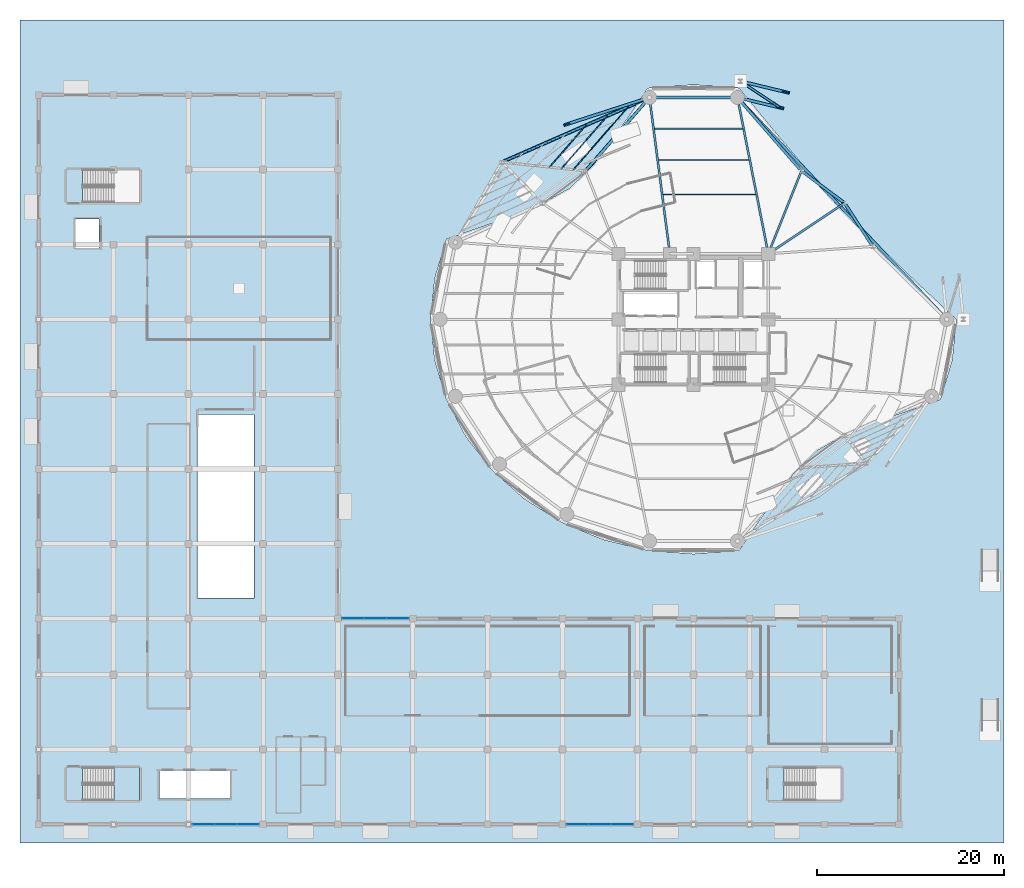
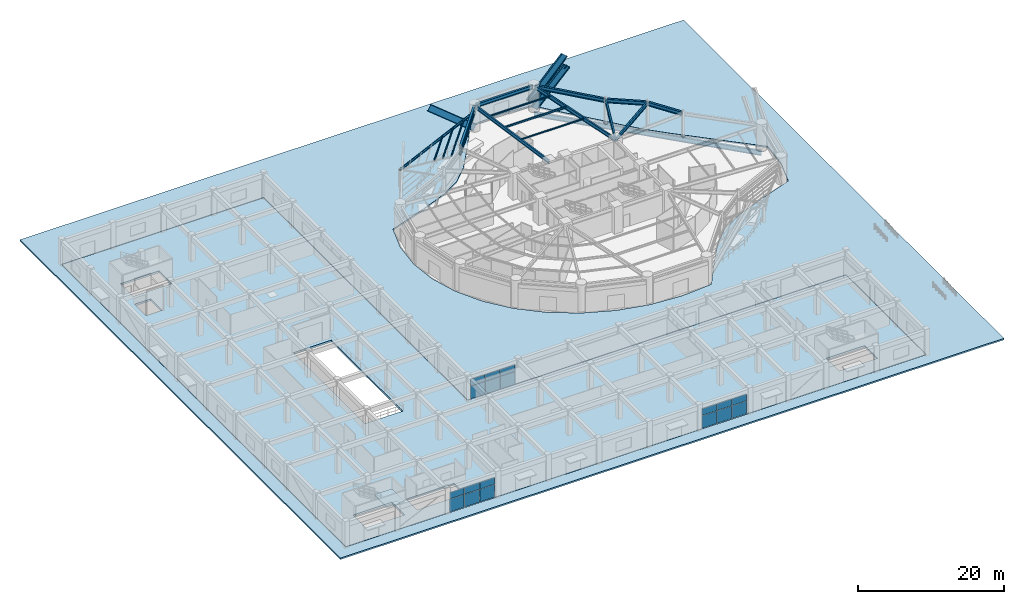
# One storey, part 24 of 40: 18 plates, 16 beams, 6 members, 3 slabs, 4 elements without a shape of their own.
"""IFC4 building model written with IfcOpenShell, lengths in metres."""

from ifc_helpers import new_model, si_unit, direction, frame, origin, origin_2d, place, context, subcontext, project, spatial, polyline, rectangle, hollow_rectangle, hollow_circle, i_section, outline, extrude, source, transform, mapped, material, layer, layer_set, material_profile, profile_set, type_object, element, aggregate, save


model = new_model("IFC4")

# Units and contexts
model_context = context("Model", 3, precision=1e-05, world=origin(), true_north=direction((0.0, 1.0)))
body_context = subcontext(model_context, "Body", "Model", "MODEL_VIEW")
ifc_project = project(units=[si_unit("LENGTHUNIT", "METRE"), si_unit("AREAUNIT", "SQUARE_METRE"), si_unit("VOLUMEUNIT", "CUBIC_METRE"), si_unit("PLANEANGLEUNIT", "RADIAN"), si_unit("MASSUNIT", "GRAM", prefix="KILO")], contexts=[model_context])

# Site, building, storey
site_placement = place(None, origin())
site = spatial("IfcSite", under=ifc_project, at=site_placement, CompositionType="ELEMENT")
building_placement = place(site_placement, origin())
building = spatial("IfcBuilding", under=site, at=building_placement, Name="Kelanora Arch Commons", CompositionType="ELEMENT")
storey_placement = place(building_placement, origin())
storey = spatial("IfcBuildingStorey", under=building, at=storey_placement, Name="L00", CompositionType="ELEMENT", Elevation=0.0)

# Beams
ifc_material_1 = material(Name="Steel S355", Category="steel")
ifc_material_profile_1 = material_profile(ifc_material_1, i_section(OverallWidth=0.302001953125, OverallDepth=1.008056640625, WebThickness=0.02099609375, FlangeThickness=0.0400390625, FilletRadius=0.030029296875, at=origin_2d()), Name="HEM1000")
ifc_profile_set_1 = profile_set([ifc_material_profile_1], Name="Steel S355")
beam_type_1 = type_object("IfcBeamType", Name="BM-ARCH-RIB", PredefinedType="USERDEFINED", material=ifc_profile_set_1)
beam_1_placement = place(storey_placement, frame((83.261962890625, 80.627685546875, 6.41259765625), z_axis=(-0.585876343042, 0.139598935882, -0.798286319415), x_axis=(-0.231784831135, -0.972767080064, 0.0)))
element("IfcBeam", 1, at=beam_1_placement, inside=storey, type_object=beam_type_1, Name="Parabolic Giant Arch Inner Rib 08", ObjectType="ARCH_RIB", PredefinedType="USERDEFINED", context=body_context, shape_type="SweptSolid", body=[
    extrude(i_section(OverallWidth=0.302001953125, OverallDepth=1.008056640625, WebThickness=0.02099609375, FlangeThickness=0.0400390625, FilletRadius=0.030029296875, at=origin_2d()), origin(), (0.0, 0.0, 1.0), 7.782470703125),
])
beam_2_placement = place(storey_placement, frame((83.8671875, 82.291015625, 7.02490234375), z_axis=(-0.574311539487, 0.137891346207, -0.806940042539), x_axis=(-0.233463524395, -0.972365560259, 0.0)))
element("IfcBeam", 2, at=beam_2_placement, inside=storey, type_object=beam_type_1, Name="Parabolic Giant Arch Outer Rib 08", ObjectType="ARCH_RIB", PredefinedType="USERDEFINED", context=body_context, shape_type="SweptSolid", body=[
    extrude(i_section(OverallWidth=0.302001953125, OverallDepth=1.008056640625, WebThickness=0.02099609375, FlangeThickness=0.0400390625, FilletRadius=0.030029296875, at=origin_2d()), origin(), (0.0, 0.0, 1.0), 8.457763671875),
])
beam_3_placement = place(storey_placement, frame((69.297607421875, 81.714111328125, 0.25), z_axis=(-0.715170889913, -0.231449127747, 0.659516413356), x_axis=(0.307904957748, -0.951417120402, 0.0)))
element("IfcBeam", 3, at=beam_3_placement, inside=storey, type_object=beam_type_1, Name="Courtyard Portal Arch Rib NW-1", ObjectType="ARCH_RIB", PredefinedType="USERDEFINED", context=body_context, shape_type="SweptSolid", body=[
    extrude(i_section(OverallWidth=0.302001953125, OverallDepth=1.008056640625, WebThickness=0.02099609375, FlangeThickness=0.0400390625, FilletRadius=0.030029296875, at=origin_2d()), origin(), (0.0, 0.0, 1.0), 12.357421875),
])
ifc_material_profile_2 = material_profile(ifc_material_1, i_section(OverallWidth=0.302978515625, OverallDepth=0.81396484375, WebThickness=0.02099609375, FlangeThickness=0.0400390625, FilletRadius=0.030029296875, at=origin_2d()), Name="HEM800")
ifc_profile_set_2 = profile_set([ifc_material_profile_2], Name="Steel S355")
beam_type_2 = type_object("IfcBeamType", Name="BM-ARCH-TIE", PredefinedType="USERDEFINED", material=ifc_profile_set_2)
beam_4_placement = place(storey_placement, frame((101.080078125, 58.0, -0.719970703125), z_axis=(-0.68631587693, 0.72730359347, 0.0), x_axis=(-0.72730359347, -0.68631587693, 0.0)))
element("IfcBeam", 4, at=beam_4_placement, inside=storey, type_object=beam_type_2, Name="Giant Arch Thrust Tie Girder", ObjectType="TRANSFER_GIRDER", PredefinedType="USERDEFINED", context=body_context, shape_type="SweptSolid", body=[
    extrude(i_section(OverallWidth=0.302978515625, OverallDepth=0.81396484375, WebThickness=0.02099609375, FlangeThickness=0.0400390625, FilletRadius=0.030029296875, at=origin_2d()), origin(), (0.0, 0.0, 1.0), 32.60546875),
])
ifc_material_profile_3 = material_profile(ifc_material_1, i_section(OverallWidth=0.14990234375, OverallDepth=0.300048828125, WebThickness=0.007080078125, FlangeThickness=0.0107421875, FilletRadius=0.014892578125, at=origin_2d()), Name="IPE300")
ifc_profile_set_3 = profile_set([ifc_material_profile_3], Name="Steel S355")
beam_type_3 = type_object("IfcBeamType", Name="BM-JST-01", PredefinedType="JOIST", material=ifc_profile_set_3)
beam_5_placement = place(storey_placement, frame((79.936279296875, 75.028564453125, 4.050048828125), z_axis=(-1.0, 0.0, 0.0), x_axis=(0.0, -1.0, 0.0)))
element("IfcBeam", 5, at=beam_5_placement, inside=storey, type_object=beam_type_3, Name="Secondary Chord Joist BJB-08 L00", PredefinedType="JOIST", context=body_context, shape_type="SweptSolid", body=[
    extrude(i_section(OverallWidth=0.14990234375, OverallDepth=0.300048828125, WebThickness=0.007080078125, FlangeThickness=0.0107421875, FilletRadius=0.014892578125, at=origin_2d()), origin(), (0.0, 0.0, 1.0), 9.6806640625),
])
ifc_material_profile_4 = material_profile(ifc_material_1, i_section(OverallWidth=0.1201171875, OverallDepth=0.239990234375, WebThickness=0.006103515625, FlangeThickness=0.009765625, FilletRadius=0.014892578125, at=origin_2d()), Name="IPE240")
ifc_profile_set_4 = profile_set([ifc_material_profile_4], Name="Steel S355")
beam_type_4 = type_object("IfcBeamType", Name="BM-JST-02", PredefinedType="JOIST", material=ifc_profile_set_4)
beam_6_placement = place(storey_placement, frame((80.661865234375, 71.351318359375, 4.080078125), z_axis=(-1.0, 0.0, 0.0), x_axis=(0.0, -1.0, 0.0)))
element("IfcBeam", 6, at=beam_6_placement, inside=storey, type_object=beam_type_4, Name="Secondary Chord Joist BJA-08 L00", PredefinedType="JOIST", context=body_context, shape_type="SweptSolid", body=[
    extrude(i_section(OverallWidth=0.1201171875, OverallDepth=0.239990234375, WebThickness=0.006103515625, FlangeThickness=0.009765625, FilletRadius=0.014892578125, at=origin_2d()), origin(), (0.0, 0.0, 1.0), 9.92626953125),
])
beam_7_placement = place(storey_placement, frame((79.27685546875, 78.371337890625, 4.080078125), z_axis=(-1.0, 0.0, 0.0), x_axis=(0.0, -1.0, 0.0)))
element("IfcBeam", 7, at=beam_7_placement, inside=storey, type_object=beam_type_4, Name="Secondary Chord Joist BJC-08 L00", PredefinedType="JOIST", context=body_context, shape_type="SweptSolid", body=[
    extrude(i_section(OverallWidth=0.1201171875, OverallDepth=0.239990234375, WebThickness=0.006103515625, FlangeThickness=0.009765625, FilletRadius=0.014892578125, at=origin_2d()), origin(), (0.0, 0.0, 1.0), 9.457763671875),
])
ifc_material_profile_5 = material_profile(ifc_material_1, i_section(OverallWidth=0.219970703125, OverallDepth=0.60009765625, WebThickness=0.011962890625, FlangeThickness=0.01904296875, FilletRadius=0.02392578125, at=origin_2d()), Name="IPE600")
ifc_profile_set_5 = profile_set([ifc_material_profile_5], Name="Steel S355")
beam_type_5 = type_object("IfcBeamType", Name="BM-RAD-Z1", PredefinedType="BEAM", material=ifc_profile_set_5)
beam_8_placement = place(storey_placement, frame((82.0, 65.0, 3.89990234375), z_axis=(0.832598158113, 0.553877519951, 0.0), x_axis=(-0.553877519951, 0.832598158113, 0.0)))
element("IfcBeam", 8, at=beam_8_placement, inside=storey, type_object=beam_type_5, Name="Radial Floor Girder BR-04 L00", PredefinedType="BEAM", context=body_context, shape_type="SweptSolid", body=[
    extrude(i_section(OverallWidth=0.219970703125, OverallDepth=0.60009765625, WebThickness=0.011962890625, FlangeThickness=0.01904296875, FilletRadius=0.02392578125, at=origin_2d()), origin(), (0.0, 0.0, 1.0), 9.79638671875),
])
beam_9_placement = place(storey_placement, frame((82.0, 65.0, 3.89990234375), z_axis=(0.371306921468, 0.928510188458, 0.0), x_axis=(-0.928510188458, 0.371306921468, 0.0)))
element("IfcBeam", 9, at=beam_9_placement, inside=storey, type_object=beam_type_5, Name="Radial Floor Girder BR-06 L00", PredefinedType="BEAM", context=body_context, shape_type="SweptSolid", body=[
    extrude(i_section(OverallWidth=0.219970703125, OverallDepth=0.60009765625, WebThickness=0.011962890625, FlangeThickness=0.01904296875, FilletRadius=0.02392578125, at=origin_2d()), origin(), (0.0, 0.0, 1.0), 9.549072265625),
])
beam_10_placement = place(storey_placement, frame((82.0, 65.0, 3.89990234375), z_axis=(-0.193555256292, 0.981089375522, 0.0), x_axis=(-0.981089375522, -0.193555256292, 0.0)))
element("IfcBeam", 10, at=beam_10_placement, inside=storey, type_object=beam_type_5, Name="Radial Floor Girder BR-08 L00", PredefinedType="BEAM", context=body_context, shape_type="SweptSolid", body=[
    extrude(i_section(OverallWidth=0.219970703125, OverallDepth=0.60009765625, WebThickness=0.011962890625, FlangeThickness=0.01904296875, FilletRadius=0.02392578125, at=origin_2d()), origin(), (0.0, 0.0, 1.0), 16.81640625),
])
beam_11_placement = place(storey_placement, frame((71.47998046875, 65.0, 3.89990234375), z_axis=(-0.129465914729, 0.991583872864, 0.0), x_axis=(-0.991583872864, -0.129465914729, 0.0)))
element("IfcBeam", 11, at=beam_11_placement, inside=storey, type_object=beam_type_5, Name="Radial Floor Girder BR-10 L00", PredefinedType="BEAM", context=body_context, shape_type="SweptSolid", body=[
    extrude(i_section(OverallWidth=0.219970703125, OverallDepth=0.60009765625, WebThickness=0.011962890625, FlangeThickness=0.01904296875, FilletRadius=0.02392578125, at=origin_2d()), origin(), (0.0, 0.0, 1.0), 16.635986328125),
])
ifc_material_profile_6 = material_profile(ifc_material_1, i_section(OverallWidth=0.300048828125, OverallDepth=0.60009765625, WebThickness=0.015380859375, FlangeThickness=0.030029296875, FilletRadius=0.027099609375, at=origin_2d()), Name="HEB600")
ifc_profile_set_6 = profile_set([ifc_material_profile_6], Name="Steel S355")
beam_type_6 = type_object("IfcBeamType", Name="BM-SPN-Z1", PredefinedType="SPANDREL", material=ifc_profile_set_6)
beam_12_placement = place(storey_placement, frame((93.046142578125, 65.975341796875, 3.89990234375), z_axis=(-0.544524325677, 0.838745049908, 0.0), x_axis=(-0.838745049908, -0.544524325677, 0.0)))
element("IfcBeam", 12, at=beam_12_placement, inside=storey, type_object=beam_type_6, Name="Perimeter Spandrel Beam BS-02 L00", PredefinedType="SPANDREL", context=body_context, shape_type="SweptSolid", body=[
    extrude(i_section(OverallWidth=0.300048828125, OverallDepth=0.60009765625, WebThickness=0.015380859375, FlangeThickness=0.030029296875, FilletRadius=0.027099609375, at=origin_2d()), origin(), (0.0, 0.0, 1.0), 5.086669921875),
])
beam_13_placement = place(storey_placement, frame((89.980224609375, 70.5576171875, 3.89990234375), z_axis=(-0.801486366257, 0.598013047269, 0.0), x_axis=(-0.598013047269, -0.801486366257, 0.0)))
element("IfcBeam", 13, at=beam_13_placement, inside=storey, type_object=beam_type_6, Name="Perimeter Spandrel Beam BS-04 L00", PredefinedType="SPANDREL", context=body_context, shape_type="SweptSolid", body=[
    extrude(i_section(OverallWidth=0.300048828125, OverallDepth=0.60009765625, WebThickness=0.015380859375, FlangeThickness=0.030029296875, FilletRadius=0.027099609375, at=origin_2d()), origin(), (0.0, 0.0, 1.0), 5.31298828125),
])
beam_14_placement = place(storey_placement, frame((85.40087890625, 74.0322265625, 3.89990234375), z_axis=(-0.657217586408, 0.753700898311, 0.0), x_axis=(-0.753700898311, -0.657217586408, 0.0)))
element("IfcBeam", 14, at=beam_14_placement, inside=storey, type_object=beam_type_6, Name="Perimeter Spandrel Beam BS-06 L00", PredefinedType="SPANDREL", context=body_context, shape_type="SweptSolid", body=[
    extrude(i_section(OverallWidth=0.300048828125, OverallDepth=0.60009765625, WebThickness=0.015380859375, FlangeThickness=0.030029296875, FilletRadius=0.027099609375, at=origin_2d()), origin(), (0.0, 0.0, 1.0), 9.97216796875),
])
beam_15_placement = place(storey_placement, frame((78.482421875, 81.714111328125, 3.89990234375), z_axis=(-1.0, 0.0, 0.0), x_axis=(0.0, -1.0, 0.0)))
element("IfcBeam", 15, at=beam_15_placement, inside=storey, type_object=beam_type_6, Name="Perimeter Spandrel Beam BS-08 L00", PredefinedType="SPANDREL", context=body_context, shape_type="SweptSolid", body=[
    extrude(i_section(OverallWidth=0.300048828125, OverallDepth=0.60009765625, WebThickness=0.015380859375, FlangeThickness=0.030029296875, FilletRadius=0.027099609375, at=origin_2d()), origin(), (0.0, 0.0, 1.0), 8.96484375),
])
beam_16_placement = place(storey_placement, frame((69.153076171875, 81.54833984375, 3.89990234375), z_axis=(-0.657217586408, -0.753700898311, 0.0), x_axis=(0.753700898311, -0.657217586408, 0.0)))
element("IfcBeam", 16, at=beam_16_placement, inside=storey, type_object=beam_type_6, Name="Perimeter Spandrel Beam BS-10 L00", PredefinedType="SPANDREL", context=body_context, shape_type="SweptSolid", body=[
    extrude(i_section(OverallWidth=0.300048828125, OverallDepth=0.60009765625, WebThickness=0.015380859375, FlangeThickness=0.030029296875, FilletRadius=0.027099609375, at=origin_2d()), origin(), (0.0, 0.0, 1.0), 9.97216796875),
])

# Members
ifc_material_profile_7 = material_profile(ifc_material_1, hollow_circle(Radius=0.136474609375, WallThickness=0.012451171875, at=origin_2d()), Name="CHS273x12.5")
ifc_profile_set_7 = profile_set([ifc_material_profile_7], Name="Steel S355")
member_type_1 = type_object("IfcMemberType", Name="MEM-MKT-BRACE", PredefinedType="BRACE", material=ifc_profile_set_7)
member_1_placement = place(storey_placement, frame((83.261962890625, 80.627685546875, 6.41259765625), z_axis=(-0.528703879097, 0.351821666115, -0.7724595287), x_axis=(-0.553994037482, -0.832520634239, 0.0)))
element("IfcMember", 17, at=member_1_placement, inside=storey, type_object=member_type_1, Name="Giant Arch Spatial Diagonal Lacing 08", PredefinedType="BRACE", context=body_context, shape_type="SweptSolid", body=[
    extrude(hollow_circle(Radius=0.136474609375, WallThickness=0.012451171875, at=origin_2d()), origin(), (0.0, 0.0, 1.0), 8.042724609375),
])
ifc_material_profile_8 = material_profile(ifc_material_1, hollow_circle(Radius=0.161865234375, WallThickness=0.01611328125, at=origin_2d()), Name="CHS323.9x16")
ifc_profile_set_8 = profile_set([ifc_material_profile_8], Name="Steel S355")
member_type_2 = type_object("IfcMemberType", Name="MEM-MKT-CHORD", PredefinedType="CHORD", material=ifc_profile_set_8)
member_2_placement = place(storey_placement, frame((69.297607421875, 81.714111328125, 2.93994140625), z_axis=(-0.916101762961, -0.400945831627, 0.0), x_axis=(0.400945831627, -0.916101762961, 0.0)))
element("IfcMember", 18, at=member_2_placement, inside=storey, type_object=member_type_2, Name="Planted Courtyard Pergola Chord NW-C1", PredefinedType="CHORD", context=body_context, shape_type="SweptSolid", body=[
    extrude(hollow_circle(Radius=0.161865234375, WallThickness=0.01611328125, at=origin_2d()), origin(), (0.0, 0.0, 1.0), 17.244384765625),
])
member_3_placement = place(storey_placement, frame((69.297607421875, 81.714111328125, 2.93994140625), z_axis=(-0.657228792011, -0.753691127022, 0.0), x_axis=(0.753691127022, -0.657228792011, 0.0)))
element("IfcMember", 19, at=member_3_placement, inside=storey, type_object=member_type_2, Name="Planted Courtyard Pergola Chord NW-X1", PredefinedType="CHORD", context=body_context, shape_type="SweptSolid", body=[
    extrude(hollow_circle(Radius=0.161865234375, WallThickness=0.01611328125, at=origin_2d()), origin(), (0.0, 0.0, 1.0), 10.412353515625),
])
ifc_material_profile_9 = material_profile(ifc_material_1, hollow_rectangle(XDim=0.070068359375, YDim=0.179931640625, WallThickness=0.0048828125, InnerFilletRadius=0.0048828125, OuterFilletRadius=0.010009765625, at=origin_2d()), Name="RHS180x70x5")
ifc_profile_set_9 = profile_set([ifc_material_profile_9], Name="Steel S355")
member_type_3 = type_object("IfcMemberType", Name="MEM-MKT-PURLIN", PredefinedType="PURLIN", material=ifc_profile_set_9)
member_4_placement = place(storey_placement, frame((67.040771484375, 80.7265625, 3.080078125), z_axis=(-0.657217692409, -0.75370080588, 0.0), x_axis=(0.75370080588, -0.657217692409, 0.0)))
element("IfcMember", 20, at=member_4_placement, inside=storey, type_object=member_type_3, Name="Courtyard Garden Trellis Blade NW-A1", PredefinedType="PURLIN", context=body_context, shape_type="SweptSolid", body=[
    extrude(hollow_rectangle(XDim=0.070068359375, YDim=0.179931640625, WallThickness=0.0048828125, InnerFilletRadius=0.0048828125, OuterFilletRadius=0.010009765625, at=origin_2d()), origin(), (0.0, 0.0, 1.0), 8.9248046875),
])
member_5_placement = place(storey_placement, frame((64.783935546875, 79.73876953125, 3.080078125), z_axis=(-0.657220800341, -0.753698095791, 0.0), x_axis=(0.753698095791, -0.657220800341, 0.0)))
element("IfcMember", 21, at=member_5_placement, inside=storey, type_object=member_type_3, Name="Courtyard Garden Trellis Blade NW-A2", PredefinedType="PURLIN", context=body_context, shape_type="SweptSolid", body=[
    extrude(hollow_rectangle(XDim=0.070068359375, YDim=0.179931640625, WallThickness=0.0048828125, InnerFilletRadius=0.0048828125, OuterFilletRadius=0.010009765625, at=origin_2d()), origin(), (0.0, 0.0, 1.0), 7.437255859375),
])
member_6_placement = place(storey_placement, frame((62.527099609375, 78.7509765625, 3.080078125), z_axis=(-0.657225462176, -0.75369403067, 0.0), x_axis=(0.75369403067, -0.657225462176, 0.0)))
element("IfcMember", 22, at=member_6_placement, inside=storey, type_object=member_type_3, Name="Courtyard Garden Trellis Blade NW-A3", PredefinedType="PURLIN", context=body_context, shape_type="SweptSolid", body=[
    extrude(hollow_rectangle(XDim=0.070068359375, YDim=0.179931640625, WallThickness=0.0048828125, InnerFilletRadius=0.0048828125, OuterFilletRadius=0.010009765625, at=origin_2d()), origin(), (0.0, 0.0, 1.0), 5.949951171875),
])

# Slabs
ifc_material_2 = material(Name="Concrete C40/50", Category="concrete")
ifc_layer_1 = layer(ifc_material_2, 0.320068359375)
ifc_layer_set_1 = layer_set([ifc_layer_1], Name="Concrete C40/50")
slab_type_1 = type_object("IfcSlabType", Name="SLB-MKT-GND", PredefinedType="FLOOR", material=ifc_layer_set_1)
slab_1_placement = place(storey_placement, frame((0.0, 0.0, -0.320068359375)))
element("IfcSlab", 23, at=slab_1_placement, inside=storey, type_object=slab_type_1, Name="Market Hall Floor Slab L00", PredefinedType="FLOOR", context=body_context, shape_type="SweptSolid", body=[
    extrude(outline(polyline([(4.0, 4.0), (96.0, 4.0), (96.0, 26.0), (36.0, 26.0), (36.0, 82.0), (4.0, 82.0), (4.0, 4.0)]), holes=[polyline([(24.449951171875, 6.75), (16.89990234375, 6.75), (16.89990234375, 9.699951171875), (24.449951171875, 9.699951171875), (24.449951171875, 6.75)]), polyline([(8.68798828125, 6.568115234375), (8.68798828125, 10.06201171875), (14.7919921875, 10.06201171875), (14.7919921875, 6.568115234375), (8.68798828125, 6.568115234375)]), polyline([(83.68798828125, 6.568115234375), (83.68798828125, 10.06201171875), (89.7919921875, 10.06201171875), (89.7919921875, 6.568115234375), (83.68798828125, 6.568115234375)]), polyline([(27.0, 28.199951171875), (21.0, 28.199951171875), (21.0, 47.800048828125), (27.0, 47.800048828125), (27.0, 28.199951171875)]), polyline([(7.949951171875, 65.64990234375), (7.949951171875, 68.75), (10.449951171875, 68.75), (10.449951171875, 65.64990234375), (7.949951171875, 65.64990234375)]), polyline([(8.68798828125, 70.488037109375), (8.68798828125, 73.98193359375), (14.7919921875, 73.98193359375), (14.7919921875, 70.488037109375), (8.68798828125, 70.488037109375)])]), origin(), (0.0, 0.0, 1.0), 0.320068359375),
])
ifc_layer_2 = layer(ifc_material_2, 0.25)
ifc_layer_set_2 = layer_set([ifc_layer_2], Name="Concrete C40/50")
slab_type_2 = type_object("IfcSlabType", Name="SLB-PLAZA-PAV", PredefinedType="USERDEFINED", material=ifc_layer_set_2)
slab_2_placement = place(storey_placement, frame((0.0, 0.0, -0.25)))
element("IfcSlab", 24, at=slab_2_placement, inside=storey, type_object=slab_type_2, Name="Giant Arch Concourse and Planted Courtyard Plaza Paving", ObjectType="PAVING", PredefinedType="USERDEFINED", context=body_context, shape_type="SweptSolid", body=[
    extrude(outline(polyline([(2.0, 2.0), (107.199951171875, 2.0), (107.199951171875, 90.0), (2.0, 90.0), (2.0, 2.0)]), holes=[polyline([(36.050048828125, 82.050048828125), (36.050048828125, 26.050048828125), (96.050048828125, 26.050048828125), (96.050048828125, 3.949951171875), (3.949951171875, 3.949951171875), (3.949951171875, 82.050048828125), (36.050048828125, 82.050048828125)]), polyline([(100.390380859375, 49.423828125), (94.5498046875, 47.40673828125), (90.33642578125, 45.760986328125), (87.177978515625, 43.977783203125), (84.662841796875, 41.51025390625), (82.11572265625, 38.09130859375), (78.876708984375, 33.305908203125), (74.0, 32.925048828125), (69.123291015625, 33.305908203125), (64.394775390625, 34.437255859375), (59.9580078125, 36.284423828125), (55.947998046875, 38.79150390625), (52.486572265625, 41.882080078125), (49.6787109375, 45.46240234375), (47.609619140625, 49.423828125), (46.3427734375, 53.645751953125), (45.916015625, 58.0), (46.3427734375, 62.354248046875), (47.609619140625, 66.576171875), (53.4501953125, 68.59326171875), (57.66357421875, 70.239013671875), (60.822021484375, 72.022216796875), (63.337158203125, 74.48974609375), (65.88427734375, 77.90869140625), (69.123291015625, 82.694091796875), (74.0, 83.074951171875), (78.876708984375, 82.694091796875), (82.343505859375, 78.46728515625), (85.118408203125, 75.1943359375), (87.458984375, 72.3212890625), (89.704833984375, 69.76611328125), (92.13330078125, 67.34765625), (94.89599609375, 64.79052734375), (98.024169921875, 61.7822265625), (102.083984375, 58.0), (101.6572265625, 53.645751953125), (100.390380859375, 49.423828125)])]), origin(), (0.0, 0.0, 1.0), 0.25),
])

# Stair, slab
stair_type = type_object("IfcStairType", Name="STR-DL-450", PredefinedType="HALF_TURN_STAIR", material=ifc_material_2)
stair_placement = place(storey_placement, origin())
stair = element("IfcStair", 25, at=stair_placement, inside=storey, type_object=stair_type, Name="L00 ST-M1", PredefinedType="HALF_TURN_STAIR")
ifc_layer_3 = layer(ifc_material_2, 0.199951171875)
ifc_layer_set_3 = layer_set([ifc_layer_3], Name="Concrete C40/50")
slab_type_3 = type_object("IfcSlabType", Name="SLB-STAIR-LND", PredefinedType="LANDING", material=ifc_layer_set_3)
slab_3_placement = place(storey_placement, frame((0.0, 0.0, 2.050048828125)))
slab_3 = element("IfcSlab", 26, at=slab_3_placement, type_object=slab_type_3, Name="ST-M1 landing 1", PredefinedType="LANDING", context=body_context, shape_type="SweptSolid", body=[
    extrude(outline(polyline([(12.0400390625, 6.56005859375), (14.800048828125, 6.56005859375), (14.800048828125, 10.070068359375), (12.0400390625, 10.070068359375), (12.0400390625, 6.56005859375)])), origin(), (0.0, 0.0, 1.0), 0.199951171875),
])
aggregate(stair, [slab_3])

# Curtain wall, plates
ifc_material_3 = material(Name="Terracotta ceramic-fritted low-E glass and aluminium", Category="masonry")
ifc_layer_4 = layer(ifc_material_3, 0.16796875)
ifc_layer_set_4 = layer_set([ifc_layer_4], Name="Terracotta ceramic-fritted low-E glass and aluminium")
curtain_wall_type = type_object("IfcCurtainWallType", Name="CW-SYS-07", PredefinedType="NOTDEFINED", material=ifc_layer_set_4)
curtain_wall_1_placement = place(storey_placement, origin())
curtain_wall_1 = element("IfcCurtainWall", 27, at=curtain_wall_1_placement, inside=storey, type_object=curtain_wall_type, Name="Market Hall Arcade Curtain Wall L00-02", PredefinedType="NOTDEFINED")
ifc_material_4 = material(Name="Clear laminated solar-control double glazing", Category="glass")
ifc_layer_5 = layer(ifc_material_4, 0.033935546875)
ifc_layer_set_5 = layer_set([ifc_layer_5], Name="Clear laminated solar-control double glazing")
plate_type = type_object("IfcPlateType", Name="CWP-CLR", PredefinedType="CURTAIN_PANEL", material=ifc_layer_set_5)
shared_shape_1 = source(origin(), body_context, "Body", "SweptSolid", [
    extrude(rectangle(XDim=2.31005859375, YDim=0.033935546875, at=origin_2d()), origin(), (0.0, 0.0, 1.0), 2.110107421875),
])
plate_1_placement = place(storey_placement, frame((21.614990234375, 4.0, 0.06005859375), z_axis=(0.0, 0.0, 1.0), x_axis=(1.0, 0.0, 0.0)))
plate_1 = element("IfcPlate", 28, at=plate_1_placement, type_object=plate_type, Name="CW-07 panel 1.1", PredefinedType="CURTAIN_PANEL", context=body_context, shape_type="MappedRepresentation", body=[
    mapped(shared_shape_1, transform((0.0, 0.0, 0.0), scale=1.0)),
])
plate_2_placement = place(storey_placement, frame((26.385009765625, 4.0, 0.06005859375), z_axis=(0.0, 0.0, 1.0), x_axis=(1.0, 0.0, 0.0)))
plate_2 = element("IfcPlate", 29, at=plate_2_placement, type_object=plate_type, Name="CW-07 panel 3.1", PredefinedType="CURTAIN_PANEL", context=body_context, shape_type="MappedRepresentation", body=[
    mapped(shared_shape_1, transform((0.0, 0.0, 0.0), scale=1.0)),
])

curtain_wall_2_placement = place(storey_placement, origin())
curtain_wall_2 = element("IfcCurtainWall", 30, at=curtain_wall_2_placement, inside=storey, type_object=curtain_wall_type, Name="Market Hall Arcade Curtain Wall L00-07", PredefinedType="NOTDEFINED")
plate_3_placement = place(storey_placement, frame((61.614990234375, 4.0, 0.06005859375), z_axis=(0.0, 0.0, 1.0), x_axis=(1.0, 0.0, 0.0)))
plate_3 = element("IfcPlate", 31, at=plate_3_placement, type_object=plate_type, Name="CW-07 panel 1.1", PredefinedType="CURTAIN_PANEL", context=body_context, shape_type="MappedRepresentation", body=[
    mapped(shared_shape_1, transform((0.0, 0.0, 0.0), scale=1.0)),
])
plate_4_placement = place(storey_placement, frame((66.385009765625, 4.0, 0.06005859375), z_axis=(0.0, 0.0, 1.0), x_axis=(1.0, 0.0, 0.0)))
plate_4 = element("IfcPlate", 32, at=plate_4_placement, type_object=plate_type, Name="CW-07 panel 3.1", PredefinedType="CURTAIN_PANEL", context=body_context, shape_type="MappedRepresentation", body=[
    mapped(shared_shape_1, transform((0.0, 0.0, 0.0), scale=1.0)),
])

curtain_wall_3_placement = place(storey_placement, origin())
curtain_wall_3 = element("IfcCurtainWall", 33, at=curtain_wall_3_placement, inside=storey, type_object=curtain_wall_type, Name="Market Hall Arcade Curtain Wall L00-22", PredefinedType="NOTDEFINED")
plate_5_placement = place(storey_placement, frame((42.385009765625, 26.0, 0.06005859375), z_axis=(0.0, 0.0, 1.0), x_axis=(-1.0, 0.0, 0.0)))
plate_5 = element("IfcPlate", 34, at=plate_5_placement, type_object=plate_type, Name="CW-07 panel 1.1", PredefinedType="CURTAIN_PANEL", context=body_context, shape_type="MappedRepresentation", body=[
    mapped(shared_shape_1, transform((0.0, 0.0, 0.0), scale=1.0)),
])
plate_6_placement = place(storey_placement, frame((37.614990234375, 26.0, 0.06005859375), z_axis=(0.0, 0.0, 1.0), x_axis=(-1.0, 0.0, 0.0)))
plate_6 = element("IfcPlate", 35, at=plate_6_placement, type_object=plate_type, Name="CW-07 panel 3.1", PredefinedType="CURTAIN_PANEL", context=body_context, shape_type="MappedRepresentation", body=[
    mapped(shared_shape_1, transform((0.0, 0.0, 0.0), scale=1.0)),
])

# Plate
shared_shape_2 = source(origin(), body_context, "Body", "SweptSolid", [
    extrude(rectangle(XDim=2.31005859375, YDim=0.033935546875, at=origin_2d()), origin(), (0.0, 0.0, 1.0), 1.1298828125),
])
plate_7_placement = place(storey_placement, frame((21.614990234375, 4.0, 2.22998046875), z_axis=(0.0, 0.0, 1.0), x_axis=(1.0, 0.0, 0.0)))
plate_7 = element("IfcPlate", 36, at=plate_7_placement, type_object=plate_type, Name="CW-07 panel 1.2", PredefinedType="CURTAIN_PANEL", context=body_context, shape_type="MappedRepresentation", body=[
    mapped(shared_shape_2, transform((0.0, 0.0, 0.0), scale=1.0)),
])

plate_8_placement = place(storey_placement, frame((26.385009765625, 4.0, 2.22998046875), z_axis=(0.0, 0.0, 1.0), x_axis=(1.0, 0.0, 0.0)))
plate_8 = element("IfcPlate", 37, at=plate_8_placement, type_object=plate_type, Name="CW-07 panel 3.2", PredefinedType="CURTAIN_PANEL", context=body_context, shape_type="MappedRepresentation", body=[
    mapped(shared_shape_2, transform((0.0, 0.0, 0.0), scale=1.0)),
])

plate_9_placement = place(storey_placement, frame((61.614990234375, 4.0, 2.22998046875), z_axis=(0.0, 0.0, 1.0), x_axis=(1.0, 0.0, 0.0)))
plate_9 = element("IfcPlate", 38, at=plate_9_placement, type_object=plate_type, Name="CW-07 panel 1.2", PredefinedType="CURTAIN_PANEL", context=body_context, shape_type="MappedRepresentation", body=[
    mapped(shared_shape_2, transform((0.0, 0.0, 0.0), scale=1.0)),
])

plate_10_placement = place(storey_placement, frame((66.385009765625, 4.0, 2.22998046875), z_axis=(0.0, 0.0, 1.0), x_axis=(1.0, 0.0, 0.0)))
plate_10 = element("IfcPlate", 39, at=plate_10_placement, type_object=plate_type, Name="CW-07 panel 3.2", PredefinedType="CURTAIN_PANEL", context=body_context, shape_type="MappedRepresentation", body=[
    mapped(shared_shape_2, transform((0.0, 0.0, 0.0), scale=1.0)),
])

plate_11_placement = place(storey_placement, frame((42.385009765625, 26.0, 2.22998046875), z_axis=(0.0, 0.0, 1.0), x_axis=(-1.0, 0.0, 0.0)))
plate_11 = element("IfcPlate", 40, at=plate_11_placement, type_object=plate_type, Name="CW-07 panel 1.2", PredefinedType="CURTAIN_PANEL", context=body_context, shape_type="MappedRepresentation", body=[
    mapped(shared_shape_2, transform((0.0, 0.0, 0.0), scale=1.0)),
])

plate_12_placement = place(storey_placement, frame((37.614990234375, 26.0, 2.22998046875), z_axis=(0.0, 0.0, 1.0), x_axis=(-1.0, 0.0, 0.0)))
plate_12 = element("IfcPlate", 41, at=plate_12_placement, type_object=plate_type, Name="CW-07 panel 3.2", PredefinedType="CURTAIN_PANEL", context=body_context, shape_type="MappedRepresentation", body=[
    mapped(shared_shape_2, transform((0.0, 0.0, 0.0), scale=1.0)),
])

shared_shape_3 = source(origin(), body_context, "Body", "SweptSolid", [
    extrude(rectangle(XDim=2.340087890625, YDim=0.033935546875, at=origin_2d()), origin(), (0.0, 0.0, 1.0), 2.110107421875),
])
plate_13_placement = place(storey_placement, frame((24.0, 4.0, 0.06005859375), z_axis=(0.0, 0.0, 1.0), x_axis=(1.0, 0.0, 0.0)))
plate_13 = element("IfcPlate", 42, at=plate_13_placement, type_object=plate_type, Name="CW-07 panel 2.1", PredefinedType="CURTAIN_PANEL", context=body_context, shape_type="MappedRepresentation", body=[
    mapped(shared_shape_3, transform((0.0, 0.0, 0.0), scale=1.0)),
])

plate_14_placement = place(storey_placement, frame((64.0, 4.0, 0.06005859375), z_axis=(0.0, 0.0, 1.0), x_axis=(1.0, 0.0, 0.0)))
plate_14 = element("IfcPlate", 43, at=plate_14_placement, type_object=plate_type, Name="CW-07 panel 2.1", PredefinedType="CURTAIN_PANEL", context=body_context, shape_type="MappedRepresentation", body=[
    mapped(shared_shape_3, transform((0.0, 0.0, 0.0), scale=1.0)),
])

plate_15_placement = place(storey_placement, frame((40.0, 26.0, 0.06005859375), z_axis=(0.0, 0.0, 1.0), x_axis=(-1.0, 0.0, 0.0)))
plate_15 = element("IfcPlate", 44, at=plate_15_placement, type_object=plate_type, Name="CW-07 panel 2.1", PredefinedType="CURTAIN_PANEL", context=body_context, shape_type="MappedRepresentation", body=[
    mapped(shared_shape_3, transform((0.0, 0.0, 0.0), scale=1.0)),
])

shared_shape_4 = source(origin(), body_context, "Body", "SweptSolid", [
    extrude(rectangle(XDim=2.340087890625, YDim=0.033935546875, at=origin_2d()), origin(), (0.0, 0.0, 1.0), 1.1298828125),
])
plate_16_placement = place(storey_placement, frame((24.0, 4.0, 2.22998046875), z_axis=(0.0, 0.0, 1.0), x_axis=(1.0, 0.0, 0.0)))
plate_16 = element("IfcPlate", 45, at=plate_16_placement, type_object=plate_type, Name="CW-07 panel 2.2", PredefinedType="CURTAIN_PANEL", context=body_context, shape_type="MappedRepresentation", body=[
    mapped(shared_shape_4, transform((0.0, 0.0, 0.0), scale=1.0)),
])

aggregate(curtain_wall_1, [plate_1, plate_7, plate_13, plate_16, plate_2, plate_8])

plate_17_placement = place(storey_placement, frame((64.0, 4.0, 2.22998046875), z_axis=(0.0, 0.0, 1.0), x_axis=(1.0, 0.0, 0.0)))
plate_17 = element("IfcPlate", 46, at=plate_17_placement, type_object=plate_type, Name="CW-07 panel 2.2", PredefinedType="CURTAIN_PANEL", context=body_context, shape_type="MappedRepresentation", body=[
    mapped(shared_shape_4, transform((0.0, 0.0, 0.0), scale=1.0)),
])

aggregate(curtain_wall_2, [plate_3, plate_9, plate_14, plate_17, plate_4, plate_10])

plate_18_placement = place(storey_placement, frame((40.0, 26.0, 2.22998046875), z_axis=(0.0, 0.0, 1.0), x_axis=(-1.0, 0.0, 0.0)))
plate_18 = element("IfcPlate", 47, at=plate_18_placement, type_object=plate_type, Name="CW-07 panel 2.2", PredefinedType="CURTAIN_PANEL", context=body_context, shape_type="MappedRepresentation", body=[
    mapped(shared_shape_4, transform((0.0, 0.0, 0.0), scale=1.0)),
])

aggregate(curtain_wall_3, [plate_5, plate_11, plate_15, plate_18, plate_6, plate_12])

save(model, "model.ifc")
